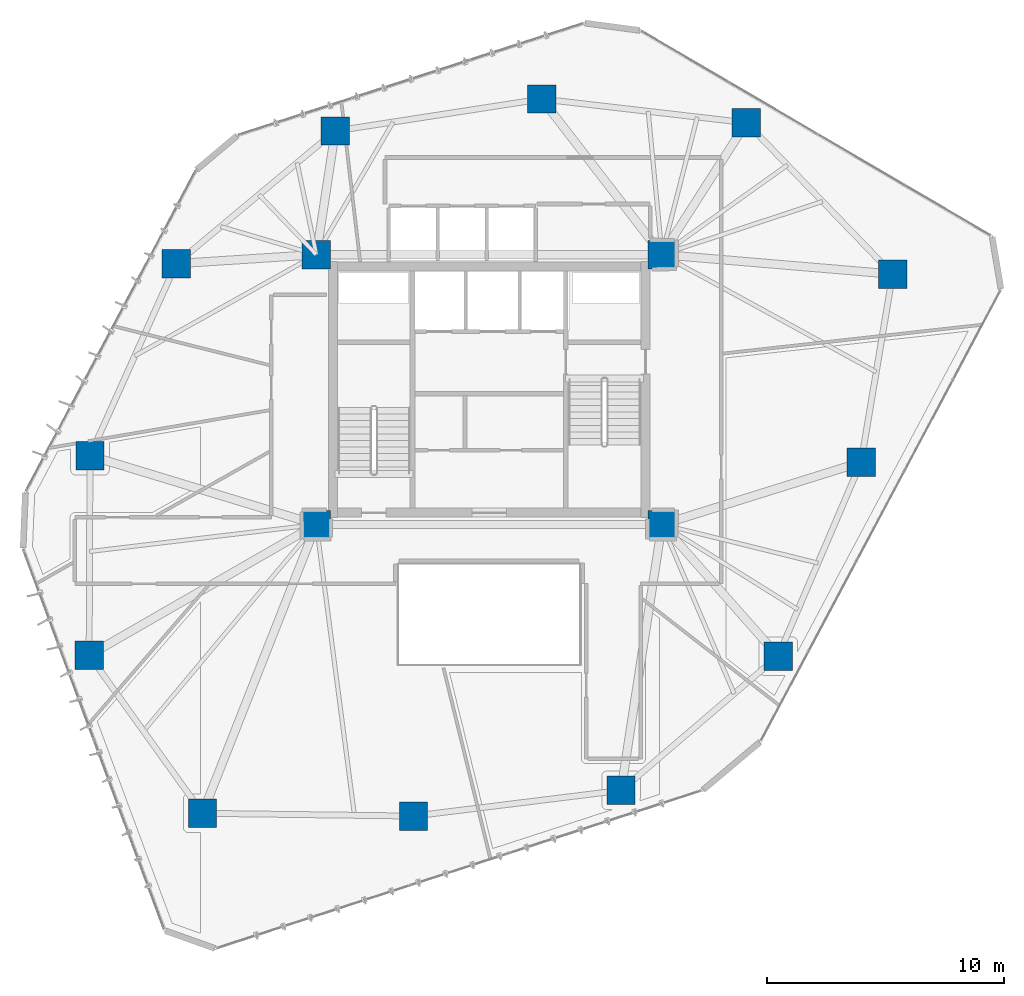
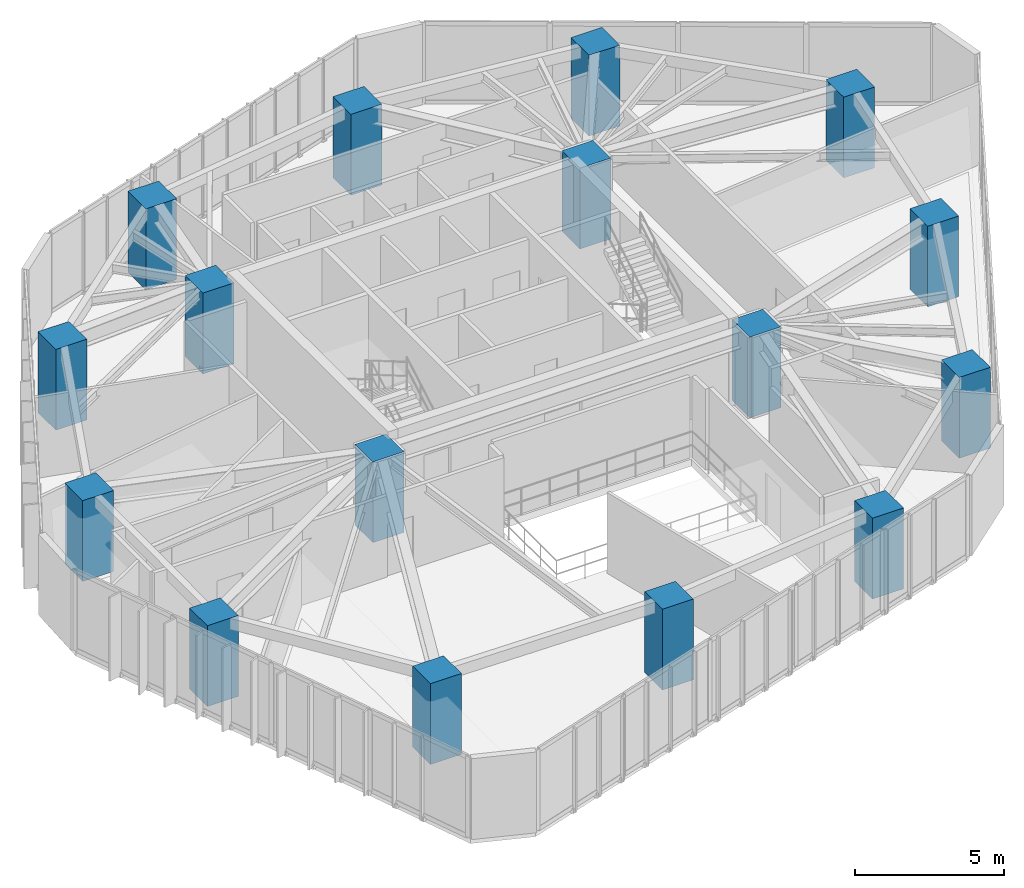
# One storey, part 1 of 21: 16 columns.
"""IFC4 building model written with IfcOpenShell, lengths in metres."""

from ifc_helpers import new_model, si_unit, direction, frame, origin, origin_2d, place, context, subcontext, project, spatial, rectangle, extrude, material, material_profile, profile_set, type_object, element, save


model = new_model("IFC4")

# Units and contexts
model_context = context("Model", 3, precision=1e-05, world=origin(), true_north=direction((0.0, 1.0)))
body_context = subcontext(model_context, "Body", "Model", "MODEL_VIEW")
ifc_project = project(units=[si_unit("LENGTHUNIT", "METRE"), si_unit("AREAUNIT", "SQUARE_METRE"), si_unit("VOLUMEUNIT", "CUBIC_METRE"), si_unit("PLANEANGLEUNIT", "RADIAN"), si_unit("MASSUNIT", "GRAM", prefix="KILO")], contexts=[model_context])

# Site, building, storey
site_placement = place(None, origin())
site = spatial("IfcSite", under=ifc_project, at=site_placement, CompositionType="ELEMENT")
building_placement = place(site_placement, origin())
building = spatial("IfcBuilding", under=site, at=building_placement, Name="Talar Marvaseh", CompositionType="ELEMENT")
storey_placement = place(building_placement, frame((0.0, 0.0, 143.39990234375)))
storey = spatial("IfcBuildingStorey", under=building, at=storey_placement, Name="L37", CompositionType="ELEMENT", Elevation=143.39990234375)

# Columns
ifc_material = material(Name="Concrete C60/75", Category="concrete")
ifc_material_profile = material_profile(ifc_material, rectangle(XDim=1.199951171875, YDim=1.199951171875, at=origin_2d()), Name="RC1200x1200")
ifc_profile_set = profile_set([ifc_material_profile], Name="Concrete C60/75")
column_type = type_object("IfcColumnType", Name="Zone 2 Tube Column RC1200x1200", PredefinedType="COLUMN", material=ifc_profile_set)
for number, where, z_axis, x_axis, name in (
    (1, (36.865966796875, 42.470947265625, 0.0), (0.0, 0.0, 1.0), (1.0, 0.0, 0.0), "L37 Zone 2 Tube Column RC1200x1200"),
    (2, (43.0439453125, 36.075927734375, 0.0), (0.0, 0.0, 1.0), (1.0, 0.0, 0.0), "L37 Zone 2 Tube Column RC1200x1200"),
    (3, (41.708984375, 28.1279296875, 0.0), (0.0, 0.0, 1.0), (1.0, 0.0, 0.0), "L37 Zone 2 Tube Column RC1200x1200"),
    (4, (38.2060546875, 19.94091796875, 0.0), (0.0, 0.0, 1.0), (1.0, 0.0, 0.0), "L37 Zone 2 Tube Column RC1200x1200"),
    (5, (31.570068359375, 14.26806640625, 0.0), (0.0, 0.0, 1.0), (1.0, 0.0, 0.0), "L37 Zone 2 Tube Column RC1200x1200"),
    (6, (22.804931640625, 13.18310546875, 0.0), (0.0, 0.0, 1.0), (1.0, 0.0, 0.0), "L37 Zone 2 Tube Column RC1200x1200"),
    (7, (13.89111328125, 13.299072265625, 0.0), (0.0, 0.0, 1.0), (1.0, 0.0, 0.0), "L37 Zone 2 Tube Column RC1200x1200"),
    (8, (9.10107421875, 19.97705078125, 0.0), (0.0, 0.0, 1.0), (1.0, 0.0, 0.0), "L37 Zone 2 Tube Column RC1200x1200"),
    (9, (9.137939453125, 28.402099609375, 0.0), (0.0, 0.0, 1.0), (1.0, 0.0, 0.0), "L37 Zone 2 Tube Column RC1200x1200"),
    (10, (12.780029296875, 36.51708984375, 0.0), (0.0, 0.0, 1.0), (1.0, 0.0, 0.0), "L37 Zone 2 Tube Column RC1200x1200"),
    (11, (19.5009765625, 42.123046875, 0.0), (0.0, 0.0, 1.0), (1.0, 0.0, 0.0), "L37 Zone 2 Tube Column RC1200x1200"),
    (12, (28.221923828125, 43.471923828125, 0.0), (0.0, 0.0, 1.0), (1.0, 0.0, 0.0), "L37 Zone 2 Tube Column RC1200x1200"),
    (13, (18.699951171875, 25.5, 0.0), (0.0, 0.0, 1.0), (1.0, 0.0, 0.0), "L37 Zone 2 Tube Column RC1200x1200"),
    (14, (33.300048828125, 25.5, 0.0), (0.0, 0.0, 1.0), (1.0, 0.0, 0.0), "L37 Zone 2 Tube Column RC1200x1200"),
    (15, (33.300048828125, 36.89990234375, 0.0), (0.0, 0.0, 1.0), (1.0, 0.0, 0.0), "L37 Zone 2 Tube Column RC1200x1200"),
    (16, (18.699951171875, 36.89990234375, 0.0), (0.0, 0.0, 1.0), (1.0, 0.0, 0.0), "L37 Zone 2 Tube Column RC1200x1200"),
):
    element("IfcColumn", number, at=place(storey_placement, frame(where, z_axis=z_axis, x_axis=x_axis)), inside=storey, type_object=column_type, Name=name, PredefinedType="COLUMN", context=body_context, shape_type="SweptSolid", body=[
        extrude(rectangle(XDim=1.199951171875, YDim=1.199951171875, at=origin_2d()), origin(), (0.0, 0.0, 1.0), 3.31005859375),
    ])

save(model, "model.ifc")
